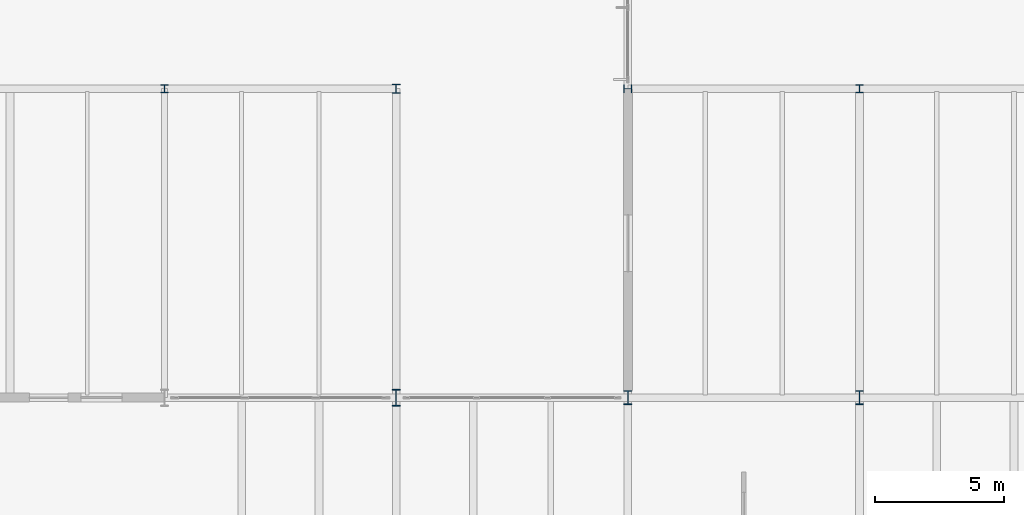
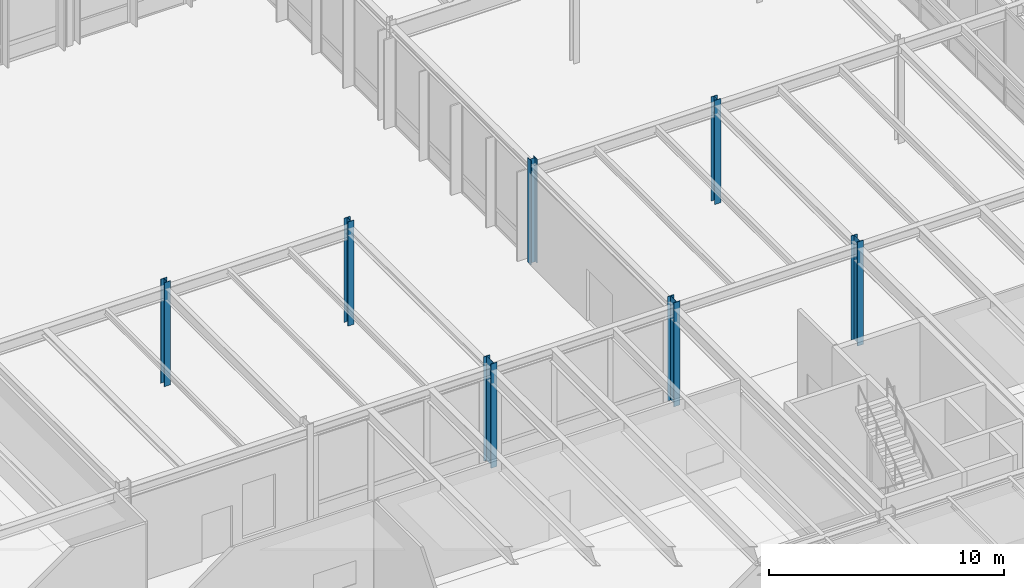
# One storey, part 3 of 143: 7 columns.
"""IFC4 building model written with IfcOpenShell, lengths in metres."""

from ifc_helpers import new_model, si_unit, direction, frame, origin, origin_2d, place, context, subcontext, project, spatial, i_section, extrude, material, material_profile, profile_set, type_object, element, save


model = new_model("IFC4")

# Units and contexts
model_context = context("Model", 3, precision=1e-05, world=origin(), true_north=direction((0.0, 1.0)))
body_context = subcontext(model_context, "Body", "Model", "MODEL_VIEW")
ifc_project = project(units=[si_unit("LENGTHUNIT", "METRE"), si_unit("AREAUNIT", "SQUARE_METRE"), si_unit("VOLUMEUNIT", "CUBIC_METRE"), si_unit("PLANEANGLEUNIT", "RADIAN"), si_unit("MASSUNIT", "GRAM", prefix="KILO")], contexts=[model_context])

# Site, building, storey
site_placement = place(None, origin())
site = spatial("IfcSite", under=ifc_project, at=site_placement, CompositionType="ELEMENT")
building_placement = place(site_placement, origin())
building = spatial("IfcBuilding", under=site, at=building_placement, Name="Montelvaro Courts of Justice", CompositionType="ELEMENT")
storey_placement = place(building_placement, origin())
storey = spatial("IfcBuildingStorey", under=building, at=storey_placement, Name="L00", CompositionType="ELEMENT", Elevation=0.0)

# Columns
ifc_material = material(Name="Steel S355", Category="steel")
ifc_material_profile_1 = material_profile(ifc_material, i_section(OverallWidth=0.300048828125, OverallDepth=0.300048828125, WebThickness=0.010986328125, FlangeThickness=0.01904296875, at=origin_2d()), Name="HEB 300")
ifc_profile_set_1 = profile_set([ifc_material_profile_1], Name="Steel S355")
column_type_1 = type_object("IfcColumnType", Name="Col_HEB300", PredefinedType="COLUMN", material=ifc_profile_set_1)
column_1_placement = place(storey_placement, frame((54.0, 54.0, 0.0), z_axis=(0.0, 0.0, 1.0), x_axis=(0.0, 1.0, 0.0)))
element("IfcColumn", 1, at=column_1_placement, inside=storey, type_object=column_type_1, Name="Column C-03 L00 7/E", PredefinedType="COLUMN", context=body_context, shape_type="SweptSolid", body=[
    extrude(i_section(OverallWidth=0.300048828125, OverallDepth=0.300048828125, WebThickness=0.010986328125, FlangeThickness=0.01904296875, at=origin_2d()), origin(), (0.0, 0.0, 1.0), 5.39990234375),
])
ifc_material_profile_2 = material_profile(ifc_material, i_section(OverallWidth=0.300048828125, OverallDepth=0.320068359375, WebThickness=0.011474609375, FlangeThickness=0.0205078125, at=origin_2d()), Name="HEB 320")
ifc_profile_set_2 = profile_set([ifc_material_profile_2], Name="Steel S355")
column_type_2 = type_object("IfcColumnType", Name="Col_HEB320", PredefinedType="COLUMN", material=ifc_profile_set_2)
for number, where, z_axis, x_axis, name in (
    (2, (36.0, 54.0, 0.0), (0.0, 0.0, 1.0), (1.0, 0.0, 0.0), "Column C-04 L00 5/E"),
    (3, (63.0, 54.0, 0.0), (0.0, 0.0, 1.0), (1.0, 0.0, 0.0), "Column C-04 L00 8/E"),
):
    element("IfcColumn", number, at=place(storey_placement, frame(where, z_axis=z_axis, x_axis=x_axis)), inside=storey, type_object=column_type_2, Name=name, PredefinedType="COLUMN", context=body_context, shape_type="SweptSolid", body=[
        extrude(i_section(OverallWidth=0.300048828125, OverallDepth=0.320068359375, WebThickness=0.011474609375, FlangeThickness=0.0205078125, at=origin_2d()), origin(), (0.0, 0.0, 1.0), 5.39990234375),
    ])
ifc_material_profile_3 = material_profile(ifc_material, i_section(OverallWidth=0.300048828125, OverallDepth=0.340087890625, WebThickness=0.011962890625, FlangeThickness=0.021484375, at=origin_2d()), Name="HEB 340")
ifc_profile_set_3 = profile_set([ifc_material_profile_3], Name="Steel S355")
column_type_3 = type_object("IfcColumnType", Name="Col_HEB340", PredefinedType="COLUMN", material=ifc_profile_set_3)
column_2_placement = place(storey_placement, frame((45.0, 54.0, 0.0), z_axis=(0.0, 0.0, 1.0), x_axis=(1.0, 0.0, 0.0)))
element("IfcColumn", 4, at=column_2_placement, inside=storey, type_object=column_type_3, Name="Column C-05 L00 6/E", PredefinedType="COLUMN", context=body_context, shape_type="SweptSolid", body=[
    extrude(i_section(OverallWidth=0.300048828125, OverallDepth=0.340087890625, WebThickness=0.011962890625, FlangeThickness=0.021484375, at=origin_2d()), origin(), (0.0, 0.0, 1.0), 5.39990234375),
])
ifc_material_profile_4 = material_profile(ifc_material, i_section(OverallWidth=0.300048828125, OverallDepth=0.550048828125, WebThickness=0.014892578125, FlangeThickness=0.029052734375, at=origin_2d()), Name="HEB 550")
ifc_profile_set_4 = profile_set([ifc_material_profile_4], Name="Steel S355")
column_type_4 = type_object("IfcColumnType", Name="Col_HEB550", PredefinedType="COLUMN", material=ifc_profile_set_4)
for number, where, z_axis, x_axis, name in (
    (5, (54.0, 42.0, 0.0), (0.0, 0.0, 1.0), (1.0, 0.0, 0.0), "Column C-10 L00 7/D"),
    (6, (63.0, 42.0, 0.0), (0.0, 0.0, 1.0), (1.0, 0.0, 0.0), "Column C-10 L00 8/D"),
):
    element("IfcColumn", number, at=place(storey_placement, frame(where, z_axis=z_axis, x_axis=x_axis)), inside=storey, type_object=column_type_4, Name=name, PredefinedType="COLUMN", context=body_context, shape_type="SweptSolid", body=[
        extrude(i_section(OverallWidth=0.300048828125, OverallDepth=0.550048828125, WebThickness=0.014892578125, FlangeThickness=0.029052734375, at=origin_2d()), origin(), (0.0, 0.0, 1.0), 5.39990234375),
    ])
ifc_material_profile_5 = material_profile(ifc_material, i_section(OverallWidth=0.300048828125, OverallDepth=0.64990234375, WebThickness=0.01611328125, FlangeThickness=0.031005859375, at=origin_2d()), Name="HEB 650")
ifc_profile_set_5 = profile_set([ifc_material_profile_5], Name="Steel S355")
column_type_5 = type_object("IfcColumnType", Name="Col_HEB650", PredefinedType="COLUMN", material=ifc_profile_set_5)
column_3_placement = place(storey_placement, frame((45.0, 42.0, 0.0), z_axis=(0.0, 0.0, 1.0), x_axis=(1.0, 0.0, 0.0)))
element("IfcColumn", 7, at=column_3_placement, inside=storey, type_object=column_type_5, Name="Column C-12 L00 6/D", PredefinedType="COLUMN", context=body_context, shape_type="SweptSolid", body=[
    extrude(i_section(OverallWidth=0.300048828125, OverallDepth=0.64990234375, WebThickness=0.01611328125, FlangeThickness=0.031005859375, at=origin_2d()), origin(), (0.0, 0.0, 1.0), 5.39990234375),
])

save(model, "model.ifc")
